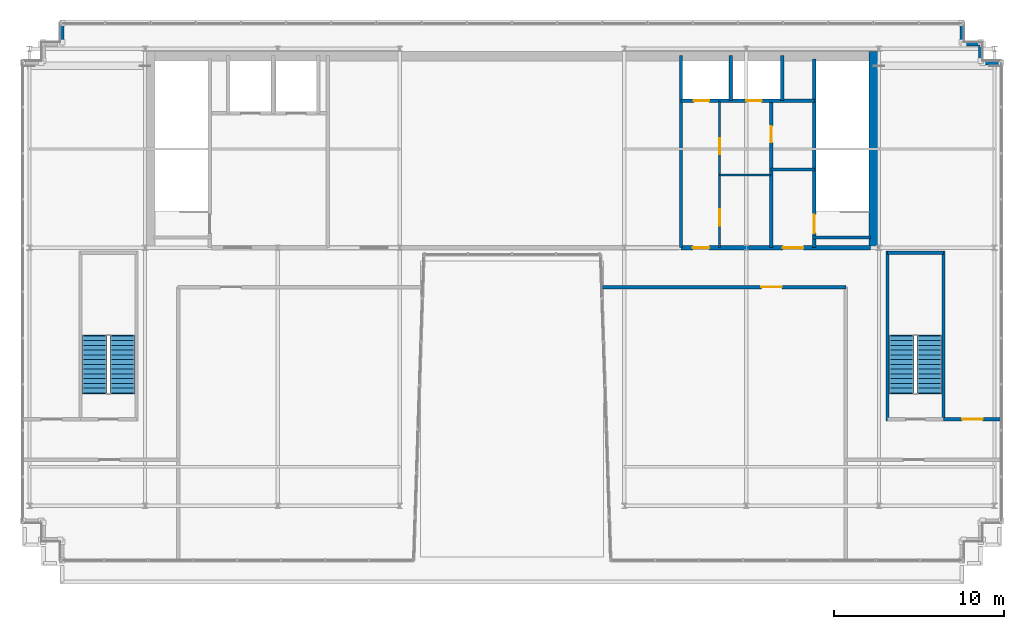
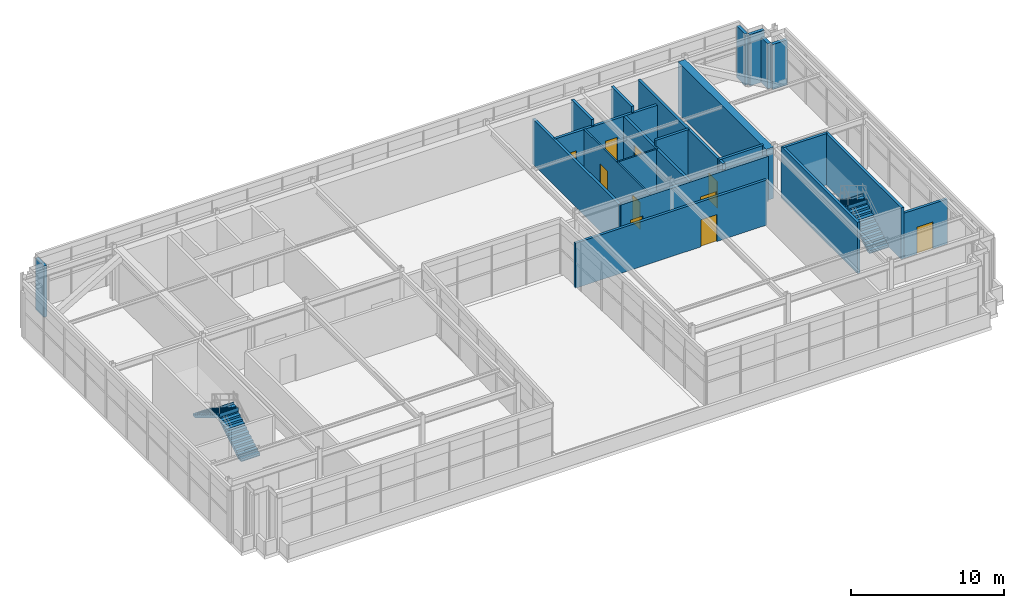
# One storey, part 34 of 37: 22 walls, 10 doors, 4 stair flights, 10 openings, 2 elements without a shape of their own.
"""IFC4 building model written with IfcOpenShell, lengths in metres."""

from ifc_helpers import new_model, si_unit, direction, frame, frame_2d, origin, place, context, subcontext, project, spatial, polyline, rectangle, outline, extrude, source, transform, mapped, material, layer, layer_set, type_object, element, fill, aggregate, save


model = new_model("IFC4")

# Units and contexts
model_context = context("Model", 3, precision=1e-05, world=origin(), true_north=direction((0.0, 1.0)))
body_context = subcontext(model_context, "Body", "Model", "MODEL_VIEW")
ifc_project = project(units=[si_unit("LENGTHUNIT", "METRE"), si_unit("AREAUNIT", "SQUARE_METRE"), si_unit("VOLUMEUNIT", "CUBIC_METRE"), si_unit("PLANEANGLEUNIT", "RADIAN"), si_unit("MASSUNIT", "GRAM", prefix="KILO")], contexts=[model_context])

# Site, building, storey
site_placement = place(None, origin())
site = spatial("IfcSite", under=ifc_project, at=site_placement, CompositionType="ELEMENT")
building_placement = place(site_placement, origin())
building = spatial("IfcBuilding", under=site, at=building_placement, Name="Trelvane Seafront Commons", CompositionType="ELEMENT")
storey_placement = place(building_placement, frame((0.0, 0.0, 303.5)))
storey = spatial("IfcBuildingStorey", under=building, at=storey_placement, Name="L79", CompositionType="ELEMENT", Elevation=303.5)

# Walls
ifc_material_1 = material(Name="Precast concrete C40/50", Category="concrete")
ifc_layer_1 = layer(ifc_material_1, 0.239990234375, Name="ARCH-WALL-EXT240")
ifc_layer_set_1 = layer_set([ifc_layer_1], Name="Precast concrete C40/50")
wall_type_1 = type_object("IfcWallType", Name="ARCH-WALL-EXT240", PredefinedType="SOLIDWALL", material=ifc_layer_set_1)
for number, where, z_axis, x_axis, name in (
    (1, (10.719970703125, 45.5, 0.0), (0.0, 0.0, 1.0), (0.0, 1.0, 0.0), "EW-L79-CRN-01627"),
    (2, (63.679931640625, 46.60009765625, 0.0), (0.0, 0.0, 1.0), (0.0, -1.0, 0.0), "EW-L79-CRN-01628"),
):
    element("IfcWall", number, at=place(storey_placement, frame(where, z_axis=z_axis, x_axis=x_axis)), inside=storey, type_object=wall_type_1, Name=name, PredefinedType="SOLIDWALL", context=body_context, shape_type="SweptSolid", body=[
        extrude(rectangle(XDim=1.10009765625, YDim=0.239990234375, at=frame_2d((0.550048828125, 0.0))), origin(), (0.0, 0.0, 1.0), 4.10009765625),
    ])
wall_1_placement = place(storey_placement, frame((63.800048828125, 45.3798828125, 0.0), z_axis=(0.0, 0.0, 1.0), x_axis=(1.0, 0.0, 0.0)))
element("IfcWall", 3, at=wall_1_placement, inside=storey, type_object=wall_type_1, Name="EW-L79-CRN-01629", PredefinedType="SOLIDWALL", context=body_context, shape_type="SweptSolid", body=[
    extrude(rectangle(XDim=1.099853515625, YDim=0.239990234375, at=frame_2d((0.5498046875, 0.0))), origin(), (0.0, 0.0, 1.0), 4.10009765625),
])
for number, where, z_axis, x_axis, name in (
    (4, (64.780029296875, 45.5, 0.0), (0.0, 0.0, 1.0), (0.0, -1.0, 0.0), "EW-L79-CRN-01630"),
    (5, (64.89990234375, 44.280029296875, 0.0), (0.0, 0.0, 1.0), (1.0, 0.0, 0.0), "EW-L79-CRN-01631"),
):
    element("IfcWall", number, at=place(storey_placement, frame(where, z_axis=z_axis, x_axis=x_axis)), inside=storey, type_object=wall_type_1, Name=name, PredefinedType="SOLIDWALL", context=body_context, shape_type="SweptSolid", body=[
        extrude(rectangle(XDim=1.10009765625, YDim=0.239990234375, at=frame_2d((0.550048828125, 0.0))), origin(), (0.0, 0.0, 1.0), 3.60009765625),
    ])

# Wall, opening, door
ifc_material_2 = material(Name="Concrete C40/50", Category="concrete")
ifc_layer_2 = layer(ifc_material_2, 0.199951171875, Name="ARCH-WALL-FIRE200")
ifc_layer_set_2 = layer_set([ifc_layer_2], Name="Concrete C40/50")
wall_type_2 = type_object("IfcWallType", Name="ARCH-WALL-FIRE200", PredefinedType="PARTITIONING", material=ifc_layer_set_2)
wall_2_placement = place(storey_placement, frame((52.449951171875, 33.39990234375, 0.0), z_axis=(0.0, 0.0, 1.0), x_axis=(0.0, 1.0, 0.0)))
wall_2 = element("IfcWall", 6, at=wall_2_placement, inside=storey, type_object=wall_type_2, Name="W-L79-ST2V-W-027", PredefinedType="PARTITIONING", context=body_context, shape_type="SweptSolid", body=[
    extrude(rectangle(XDim=8.650146484375, YDim=0.199951171875, at=frame_2d((4.3251953125, 0.0))), origin(), (0.0, 0.0, 1.0), 3.60009765625),
])
opening_1_placement = place(wall_2_placement, frame((6.199951171875, 0.0, 0.0)))
opening_1 = element("IfcOpeningElement", 7, at=opening_1_placement, cuts=wall_2, Name="Opening FD-L79-11", PredefinedType="OPENING", context=body_context, shape_type="SweptSolid", body=[
    extrude(rectangle(XDim=0.949951171875, YDim=2.14990234375, at=frame_2d((0.47509765625, 1.074951171875))), frame((0.0, 0.10986328125, 0.0), z_axis=(0.0, -1.0, 0.0), x_axis=(1.0, 0.0, 0.0)), (0.0, 0.0, 1.0), 0.219970703125),
])
ifc_material_3 = material(Name="Powder-coated aluminium frame", Category="aluminium")
door_type_1 = type_object("IfcDoorType", Name="ARCH-DR-FD60-950", OperationType="NOTDEFINED", PredefinedType="DOOR", material=ifc_material_3)
shared_shape_1 = source(origin(), body_context, "Body", "SweptSolid", [
    extrude(rectangle(XDim=0.949951171875, YDim=2.14990234375, at=frame_2d((0.47509765625, 1.074951171875))), frame((0.0, 0.02490234375, 0.0), z_axis=(0.0, -1.0, 0.0), x_axis=(1.0, 0.0, 0.0)), (0.0, 0.0, 1.0), 0.050048828125),
])
door_1_placement = place(opening_1_placement, origin())
door_1 = element("IfcDoor", 8, at=door_1_placement, inside=storey, type_object=door_type_1, Name="L79 Cleaner Store Door", OperationType="SINGLE_SWING_LEFT", OverallHeight=2.14990234375, OverallWidth=0.949951171875, PredefinedType="DOOR", context=body_context, shape_type="MappedRepresentation", body=[
    mapped(shared_shape_1, transform((0.0, 0.0, 0.0), x_axis=(1.0, 0.0, 0.0), y_axis=(0.0, 1.0, 0.0), z_axis=(0.0, 0.0, 1.0), scale=1.0)),
])
fill(opening_1, door_1)

# Wall
wall_3_placement = place(storey_placement, frame((52.449951171875, 38.0, 0.0), z_axis=(0.0, 0.0, 1.0), x_axis=(1.0, 0.0, 0.0)))
element("IfcWall", 9, at=wall_3_placement, inside=storey, type_object=wall_type_2, Name="W-L79-ST2V-N-028", PredefinedType="PARTITIONING", context=body_context, shape_type="SweptSolid", body=[
    extrude(rectangle(XDim=2.550048828125, YDim=0.199951171875, at=frame_2d((1.27490234375, 0.0))), origin(), (0.0, 0.0, 1.0), 4.10009765625),
])

# Wall, opening, door
wall_4_placement = place(storey_placement, frame((42.3798828125, 31.080078125, 0.0), z_axis=(0.0, 0.0, 1.0), x_axis=(1.0, 0.0, 0.0)))
wall_4 = element("IfcWall", 10, at=wall_4_placement, inside=storey, type_object=wall_type_2, Name="W-L79-CRN79-NE-033", PredefinedType="PARTITIONING", context=body_context, shape_type="SweptSolid", body=[
    extrude(rectangle(XDim=14.47021484375, YDim=0.199951171875, at=frame_2d((7.235107421875, 0.0))), origin(), (0.0, 0.0, 1.0), 3.60009765625),
])
opening_2_placement = place(wall_4_placement, frame((9.5, 0.0, 0.0)))
opening_2 = element("IfcOpeningElement", 11, at=opening_2_placement, cuts=wall_4, Name="Opening FD-L79-17", PredefinedType="OPENING", context=body_context, shape_type="SweptSolid", body=[
    extrude(rectangle(XDim=1.199951171875, YDim=2.14990234375, at=frame_2d((0.60009765625, 1.074951171875))), frame((0.0, 0.10986328125, 0.0), z_axis=(0.0, -1.0, 0.0), x_axis=(1.0, 0.0, 0.0)), (0.0, 0.0, 1.0), 0.219970703125),
])
door_type_2 = type_object("IfcDoorType", Name="ARCH-DR-FD60-1200", OperationType="NOTDEFINED", PredefinedType="DOOR", material=ifc_material_3)
shared_shape_2 = source(origin(), body_context, "Body", "SweptSolid", [
    extrude(rectangle(XDim=1.199951171875, YDim=2.14990234375, at=frame_2d((0.60009765625, 1.074951171875))), frame((0.0, 0.02490234375, 0.0), z_axis=(0.0, -1.0, 0.0), x_axis=(1.0, 0.0, 0.0)), (0.0, 0.0, 1.0), 0.050048828125),
])
door_2_placement = place(opening_2_placement, origin())
door_2 = element("IfcDoor", 12, at=door_2_placement, inside=storey, type_object=door_type_2, Name="L79 Door 17", OperationType="SINGLE_SWING_LEFT", OverallHeight=2.14990234375, OverallWidth=1.199951171875, PredefinedType="DOOR", context=body_context, shape_type="MappedRepresentation", body=[
    mapped(shared_shape_2, transform((0.0, 0.0, 0.0), x_axis=(1.0, 0.0, 0.0), y_axis=(0.0, 1.0, 0.0), z_axis=(0.0, 0.0, 1.0), scale=1.0)),
])
fill(opening_2, door_2)

wall_5_placement = place(storey_placement, frame((62.60009765625, 23.300048828125, 0.0), z_axis=(0.0, 0.0, 1.0), x_axis=(1.0, 0.0, 0.0)))
wall_5 = element("IfcWall", 13, at=wall_5_placement, inside=storey, type_object=wall_type_2, Name="W-L79-CRN79-ETK-039", PredefinedType="PARTITIONING", context=body_context, shape_type="SweptSolid", body=[
    extrude(rectangle(XDim=3.389892578125, YDim=0.199951171875, at=frame_2d((1.69482421875, 0.0))), origin(), (0.0, 0.0, 1.0), 3.60009765625),
])
opening_3_placement = place(wall_5_placement, frame((1.10009765625, 0.0, 0.0)))
opening_3 = element("IfcOpeningElement", 14, at=opening_3_placement, cuts=wall_5, Name="Opening FD-L79-21", PredefinedType="OPENING", context=body_context, shape_type="SweptSolid", body=[
    extrude(rectangle(XDim=1.199951171875, YDim=2.14990234375, at=frame_2d((0.60009765625, 1.074951171875))), frame((0.0, 0.10986328125, 0.0), z_axis=(0.0, -1.0, 0.0), x_axis=(1.0, 0.0, 0.0)), (0.0, 0.0, 1.0), 0.219970703125),
])
door_3_placement = place(opening_3_placement, origin())
door_3 = element("IfcDoor", 15, at=door_3_placement, inside=storey, type_object=door_type_2, Name="L79 Door 21", OperationType="SINGLE_SWING_LEFT", OverallHeight=2.14990234375, OverallWidth=1.199951171875, PredefinedType="DOOR", context=body_context, shape_type="MappedRepresentation", body=[
    mapped(shared_shape_2, transform((0.0, 0.0, 0.0), x_axis=(1.0, 0.0, 0.0), y_axis=(0.0, 1.0, 0.0), z_axis=(0.0, 0.0, 1.0), scale=1.0)),
])
fill(opening_3, door_3)

# Wall, openings, doors
ifc_layer_3 = layer(ifc_material_2, 0.25, Name="ARCH-WALL-FIRE250")
ifc_layer_set_3 = layer_set([ifc_layer_3], Name="Concrete C40/50")
wall_type_3 = type_object("IfcWallType", Name="ARCH-WALL-FIRE250", PredefinedType="PARTITIONING", material=ifc_layer_set_3)
wall_6_placement = place(storey_placement, frame((47.14990234375, 33.39990234375, 0.0), z_axis=(0.0, 0.0, 1.0), x_axis=(1.0, 0.0, 0.0)))
wall_6 = element("IfcWall", 16, at=wall_6_placement, inside=storey, type_object=wall_type_3, Name="W-L79-CS-EAST-031", PredefinedType="PARTITIONING", context=body_context, shape_type="SweptSolid", body=[
    extrude(rectangle(XDim=11.150146484375, YDim=0.25, at=frame_2d((5.5751953125, 0.0))), origin(), (0.0, 0.0, 1.0), 3.60009765625),
])
opening_4_placement = place(wall_6_placement, frame((0.699951171875, 0.0, 0.0)))
opening_4 = element("IfcOpeningElement", 17, at=opening_4_placement, cuts=wall_6, Name="Opening FD-L79-14", PredefinedType="OPENING", context=body_context, shape_type="SweptSolid", body=[
    extrude(rectangle(XDim=0.949951171875, YDim=2.14990234375, at=frame_2d((0.47509765625, 1.074951171875))), frame((0.0, 0.135009765625, 0.0), z_axis=(0.0, -1.0, 0.0), x_axis=(1.0, 0.0, 0.0)), (0.0, 0.0, 1.0), 0.27001953125),
])
opening_5_placement = place(wall_6_placement, frame((6.0, 0.0, 0.0)))
opening_5 = element("IfcOpeningElement", 18, at=opening_5_placement, cuts=wall_6, Name="Opening FD-L79-15", PredefinedType="OPENING", context=body_context, shape_type="SweptSolid", body=[
    extrude(rectangle(XDim=1.199951171875, YDim=2.14990234375, at=frame_2d((0.60009765625, 1.074951171875))), frame((0.0, 0.135009765625, 0.0), z_axis=(0.0, -1.0, 0.0), x_axis=(1.0, 0.0, 0.0)), (0.0, 0.0, 1.0), 0.27001953125),
])
door_4_placement = place(opening_4_placement, origin())
door_4 = element("IfcDoor", 19, at=door_4_placement, inside=storey, type_object=door_type_1, Name="L79 Core Service Lobby Door", OperationType="SINGLE_SWING_RIGHT", OverallHeight=2.14990234375, OverallWidth=0.949951171875, PredefinedType="DOOR", context=body_context, shape_type="MappedRepresentation", body=[
    mapped(shared_shape_1, transform((0.0, 0.0, 0.0), x_axis=(1.0, 0.0, 0.0), y_axis=(0.0, 1.0, 0.0), z_axis=(0.0, 0.0, 1.0), scale=1.0)),
])
fill(opening_4, door_4)
door_5_placement = place(opening_5_placement, origin())
door_5 = element("IfcDoor", 20, at=door_5_placement, inside=storey, type_object=door_type_2, Name="L79 East Stair Vestibule Fire Door", OperationType="SINGLE_SWING_LEFT", OverallHeight=2.14990234375, OverallWidth=1.199951171875, PredefinedType="DOOR", context=body_context, shape_type="MappedRepresentation", body=[
    mapped(shared_shape_2, transform((0.0, 0.0, 0.0), x_axis=(1.0, 0.0, 0.0), y_axis=(0.0, 1.0, 0.0), z_axis=(0.0, 0.0, 1.0), scale=1.0)),
])
fill(opening_5, door_5)

ifc_material_4 = material(Name="Gypsum Drywall Acoustic Partition")
ifc_layer_4 = layer(ifc_material_4, 0.1201171875, Name="ARCH-WALL-PART120")
ifc_layer_set_4 = layer_set([ifc_layer_4], Name="Gypsum Drywall Acoustic Partition")
wall_type_4 = type_object("IfcWallType", Name="ARCH-WALL-PART120", PredefinedType="PARTITIONING", material=ifc_layer_set_4)
wall_7_placement = place(storey_placement, frame((49.419921875, 33.39990234375, 0.0), z_axis=(0.0, 0.0, 1.0), x_axis=(0.0, 1.0, 0.0)))
wall_7 = element("IfcWall", 21, at=wall_7_placement, inside=storey, type_object=wall_type_4, Name="W-L79-CYC0-V-029", PredefinedType="PARTITIONING", context=body_context, shape_type="SweptSolid", body=[
    extrude(rectangle(XDim=8.60009765625, YDim=0.1201171875, at=frame_2d((4.300048828125, 0.0))), origin(), (0.0, 0.0, 1.0), 3.60009765625),
])
opening_6_placement = place(wall_7_placement, frame((1.300048828125, 0.0, 0.0)))
opening_6 = element("IfcOpeningElement", 22, at=opening_6_placement, cuts=wall_7, Name="Opening D-L79-12", PredefinedType="OPENING", context=body_context, shape_type="SweptSolid", body=[
    extrude(rectangle(XDim=0.949951171875, YDim=2.14990234375, at=frame_2d((0.47509765625, 1.074951171875))), frame((0.0, 0.070068359375, 0.0), z_axis=(0.0, -1.0, 0.0), x_axis=(1.0, 0.0, 0.0)), (0.0, 0.0, 1.0), 0.14013671875),
])
opening_7_placement = place(wall_7_placement, frame((5.5, 0.0, 0.0)))
opening_7 = element("IfcOpeningElement", 23, at=opening_7_placement, cuts=wall_7, Name="Opening D-L79-13", PredefinedType="OPENING", context=body_context, shape_type="SweptSolid", body=[
    extrude(rectangle(XDim=0.949951171875, YDim=2.14990234375, at=frame_2d((0.47509765625, 1.074951171875))), frame((0.0, 0.070068359375, 0.0), z_axis=(0.0, -1.0, 0.0), x_axis=(1.0, 0.0, 0.0)), (0.0, 0.0, 1.0), 0.14013671875),
])
ifc_material_5 = material(Name="Acoustic timber door leaf", Category="wood")
door_type_3 = type_object("IfcDoorType", Name="ARCH-DR-INT950", OperationType="NOTDEFINED", PredefinedType="DOOR", material=ifc_material_5)
door_6_placement = place(opening_6_placement, origin())
door_6 = element("IfcDoor", 24, at=door_6_placement, inside=storey, type_object=door_type_3, Name="L79 Accessible WC Door", OperationType="SINGLE_SWING_RIGHT", OverallHeight=2.14990234375, OverallWidth=0.949951171875, PredefinedType="DOOR", context=body_context, shape_type="MappedRepresentation", body=[
    mapped(shared_shape_1, transform((0.0, 0.0, 0.0), x_axis=(1.0, 0.0, 0.0), y_axis=(0.0, 1.0, 0.0), z_axis=(0.0, 0.0, 1.0), scale=1.0)),
])
fill(opening_6, door_6)
door_7_placement = place(opening_7_placement, origin())
door_7 = element("IfcDoor", 25, at=door_7_placement, inside=storey, type_object=door_type_3, Name="L79 Common WC Door", OperationType="SINGLE_SWING_LEFT", OverallHeight=2.14990234375, OverallWidth=0.949951171875, PredefinedType="DOOR", context=body_context, shape_type="MappedRepresentation", body=[
    mapped(shared_shape_1, transform((0.0, 0.0, 0.0), x_axis=(1.0, 0.0, 0.0), y_axis=(0.0, 1.0, 0.0), z_axis=(0.0, 0.0, 1.0), scale=1.0)),
])
fill(opening_7, door_7)

# Walls
wall_8_placement = place(storey_placement, frame((49.419921875, 37.679931640625, 0.0), z_axis=(0.0, 0.0, 1.0), x_axis=(1.0, 0.0, 0.0)))
element("IfcWall", 26, at=wall_8_placement, inside=storey, type_object=wall_type_4, Name="W-L79-CYC0-H-030", PredefinedType="PARTITIONING", context=body_context, shape_type="SweptSolid", body=[
    extrude(rectangle(XDim=3.030029296875, YDim=0.1201171875, at=frame_2d((1.51513671875, 0.0))), origin(), (0.0, 0.0, 1.0), 3.60009765625),
])
ifc_layer_5 = layer(ifc_material_2, 0.199951171875, Name="ARCH-WALL-SHAFT200")
ifc_layer_set_5 = layer_set([ifc_layer_5], Name="Concrete C40/50")
wall_type_5 = type_object("IfcWallType", Name="ARCH-WALL-SHAFT200", PredefinedType="SOLIDWALL", material=ifc_layer_set_5)
wall_9_placement = place(storey_placement, frame((47.14990234375, 33.39990234375, 0.0), z_axis=(0.0, 0.0, 1.0), x_axis=(0.0, 1.0, 0.0)))
element("IfcWall", 27, at=wall_9_placement, inside=storey, type_object=wall_type_5, Name="W-L79-RSR-W-79-023", PredefinedType="SOLIDWALL", context=body_context, shape_type="SweptSolid", body=[
    extrude(rectangle(XDim=11.300048828125, YDim=0.199951171875, at=frame_2d((5.64990234375, 0.0))), origin(), (0.0, 0.0, 1.0), 3.60009765625),
])

# Wall, openings, doors
wall_10_placement = place(storey_placement, frame((47.14990234375, 42.050048828125, 0.0), z_axis=(0.0, 0.0, 1.0), x_axis=(1.0, 0.0, 0.0)))
wall_10 = element("IfcWall", 28, at=wall_10_placement, inside=storey, type_object=wall_type_5, Name="W-L79-RSR-S-024", PredefinedType="SOLIDWALL", context=body_context, shape_type="SweptSolid", body=[
    extrude(rectangle(XDim=7.85009765625, YDim=0.199951171875, at=frame_2d((3.925048828125, 0.0))), origin(), (0.0, 0.0, 1.0), 3.60009765625),
])
opening_8_placement = place(wall_10_placement, frame((0.75, 0.0, 0.0)))
opening_8 = element("IfcOpeningElement", 29, at=opening_8_placement, cuts=wall_10, Name="Opening FD-L79-09", PredefinedType="OPENING", context=body_context, shape_type="SweptSolid", body=[
    extrude(rectangle(XDim=0.89990234375, YDim=2.10009765625, at=frame_2d((0.449951171875, 1.050048828125))), frame((0.0, 0.10986328125, 0.0), z_axis=(0.0, -1.0, 0.0), x_axis=(1.0, 0.0, 0.0)), (0.0, 0.0, 1.0), 0.219970703125),
])
opening_9_placement = place(wall_10_placement, frame((3.85009765625, 0.0, 0.0)))
opening_9 = element("IfcOpeningElement", 30, at=opening_9_placement, cuts=wall_10, Name="Opening FD-L79-10", PredefinedType="OPENING", context=body_context, shape_type="SweptSolid", body=[
    extrude(rectangle(XDim=0.89990234375, YDim=2.10009765625, at=frame_2d((0.449951171875, 1.050048828125))), frame((0.0, 0.10986328125, 0.0), z_axis=(0.0, -1.0, 0.0), x_axis=(1.0, 0.0, 0.0)), (0.0, 0.0, 1.0), 0.219970703125),
])
door_type_4 = type_object("IfcDoorType", Name="ARCH-DR-FD60-900", OperationType="NOTDEFINED", PredefinedType="DOOR", material=ifc_material_3)
shared_shape_3 = source(origin(), body_context, "Body", "SweptSolid", [
    extrude(rectangle(XDim=0.89990234375, YDim=2.10009765625, at=frame_2d((0.449951171875, 1.050048828125))), frame((0.0, 0.02490234375, 0.0), z_axis=(0.0, -1.0, 0.0), x_axis=(1.0, 0.0, 0.0)), (0.0, 0.0, 1.0), 0.050048828125),
])
door_8_placement = place(opening_8_placement, origin())
door_8 = element("IfcDoor", 31, at=door_8_placement, inside=storey, type_object=door_type_4, Name="L79 Electrical Riser Access Door", OperationType="SINGLE_SWING_LEFT", OverallHeight=2.10009765625, OverallWidth=0.89990234375, PredefinedType="DOOR", context=body_context, shape_type="MappedRepresentation", body=[
    mapped(shared_shape_3, transform((0.0, 0.0, 0.0), x_axis=(1.0, 0.0, 0.0), y_axis=(0.0, 1.0, 0.0), z_axis=(0.0, 0.0, 1.0), scale=1.0)),
])
fill(opening_8, door_8)
door_9_placement = place(opening_9_placement, origin())
door_9 = element("IfcDoor", 32, at=door_9_placement, inside=storey, type_object=door_type_4, Name="L79 Mechanical Riser Access Door", OperationType="SINGLE_SWING_RIGHT", OverallHeight=2.10009765625, OverallWidth=0.89990234375, PredefinedType="DOOR", context=body_context, shape_type="MappedRepresentation", body=[
    mapped(shared_shape_3, transform((0.0, 0.0, 0.0), x_axis=(1.0, 0.0, 0.0), y_axis=(0.0, 1.0, 0.0), z_axis=(0.0, 0.0, 1.0), scale=1.0)),
])
fill(opening_9, door_9)

# Walls
for number, where, z_axis, x_axis, name in (
    (33, (50.080078125, 42.050048828125, 0.0), (0.0, 0.0, 1.0), (0.0, 1.0, 0.0), "W-L79-RSR-DIV-025"),
    (34, (53.10009765625, 42.050048828125, 0.0), (0.0, 0.0, 1.0), (0.0, 1.0, 0.0), "W-L79-RSR-E-026"),
):
    element("IfcWall", number, at=place(storey_placement, frame(where, z_axis=z_axis, x_axis=x_axis)), inside=storey, type_object=wall_type_5, Name=name, PredefinedType="SOLIDWALL", context=body_context, shape_type="SweptSolid", body=[
        extrude(rectangle(XDim=2.64990234375, YDim=0.199951171875, at=frame_2d((1.324951171875, 0.0))), origin(), (0.0, 0.0, 1.0), 4.10009765625),
    ])
ifc_material_6 = material(Name="Concrete C50/60", Category="concrete")
ifc_layer_6 = layer(ifc_material_6, 0.550048828125, Name="STR-WALL-CORE550")
ifc_layer_set_6 = layer_set([ifc_layer_6], Name="Concrete C50/60")
wall_type_6 = type_object("IfcWallType", Name="STR-WALL-CORE550", PredefinedType="SHEAR", material=ifc_layer_set_6)
wall_11_placement = place(storey_placement, frame((58.47509765625, 33.39990234375, 0.0), z_axis=(0.0, 0.0, 1.0), x_axis=(0.0, 1.0, 0.0)))
element("IfcWall", 35, at=wall_11_placement, inside=storey, type_object=wall_type_6, Name="W-L79-CE-END-003", PredefinedType="SHEAR", context=body_context, shape_type="SweptSolid", body=[
    extrude(rectangle(XDim=11.550048828125, YDim=0.550048828125, at=frame_2d((5.77490234375, 0.0))), origin(), (0.0, 0.0, 1.0), 4.10009765625),
])
ifc_layer_7 = layer(ifc_material_6, 0.199951171875, Name="STR-WALL-STAIR200")
ifc_layer_set_7 = layer_set([ifc_layer_7], Name="Concrete C50/60")
wall_type_7 = type_object("IfcWallType", Name="STR-WALL-STAIR200", PredefinedType="SHEAR", material=ifc_layer_set_7)
wall_12_placement = place(storey_placement, frame((54.89990234375, 34.0, 0.0), z_axis=(0.0, 0.0, 1.0), x_axis=(1.0, 0.0, 0.0)))
element("IfcWall", 36, at=wall_12_placement, inside=storey, type_object=wall_type_7, Name="W-L79-ST2-S-006", PredefinedType="SHEAR", context=body_context, shape_type="SweptSolid", body=[
    extrude(rectangle(XDim=3.400146484375, YDim=0.199951171875, at=frame_2d((1.7001953125, 0.0))), origin(), (0.0, 0.0, 1.0), 4.10009765625),
])

# Wall, opening, door
wall_13_placement = place(storey_placement, frame((55.0, 33.39990234375, 0.0), z_axis=(0.0, 0.0, 1.0), x_axis=(0.0, 1.0, 0.0)))
wall_13 = element("IfcWall", 37, at=wall_13_placement, inside=storey, type_object=wall_type_7, Name="W-L79-ST2-W-007", PredefinedType="SHEAR", context=body_context, shape_type="SweptSolid", body=[
    extrude(rectangle(XDim=11.10009765625, YDim=0.199951171875, at=frame_2d((5.550048828125, 0.0))), origin(), (0.0, 0.0, 1.0), 4.10009765625),
])
opening_10_placement = place(wall_13_placement, frame((0.85009765625, 0.0, 0.0)))
opening_10 = element("IfcOpeningElement", 38, at=opening_10_placement, cuts=wall_13, Name="Opening ST-D2-L79", PredefinedType="OPENING", context=body_context, shape_type="SweptSolid", body=[
    extrude(rectangle(XDim=1.10009765625, YDim=2.14990234375, at=frame_2d((0.550048828125, 1.074951171875))), frame((0.0, 0.10986328125, 0.0), z_axis=(0.0, -1.0, 0.0), x_axis=(1.0, 0.0, 0.0)), (0.0, 0.0, 1.0), 0.219970703125),
])
door_type_5 = type_object("IfcDoorType", Name="ARCH-DR-FD90-1100", OperationType="NOTDEFINED", PredefinedType="DOOR", material=ifc_material_3)
shared_shape_4 = source(origin(), body_context, "Body", "SweptSolid", [
    extrude(rectangle(XDim=1.10009765625, YDim=2.14990234375, at=frame_2d((0.550048828125, 1.074951171875))), frame((0.0, 0.02490234375, 0.0), z_axis=(0.0, -1.0, 0.0), x_axis=(1.0, 0.0, 0.0)), (0.0, 0.0, 1.0), 0.050048828125),
])
door_10_placement = place(opening_10_placement, origin())
door_10 = element("IfcDoor", 39, at=door_10_placement, inside=storey, type_object=door_type_5, Name="L79 Stair ST-2 Vestibule Fire Door", OperationType="SINGLE_SWING_RIGHT", OverallHeight=2.14990234375, OverallWidth=1.10009765625, PredefinedType="DOOR", context=body_context, shape_type="MappedRepresentation", body=[
    mapped(shared_shape_4, transform((0.0, 0.0, 0.0), x_axis=(1.0, 0.0, 0.0), y_axis=(0.0, 1.0, 0.0), z_axis=(0.0, 0.0, 1.0), scale=1.0)),
])
fill(opening_10, door_10)

# Walls
for number, where, z_axis, x_axis, name in (
    (40, (59.300048828125, 23.199951171875, 0.0), (0.0, 0.0, 1.0), (0.0, 1.0, 0.0), "W-L79-ST6-W-012"),
    (41, (62.60009765625, 23.199951171875, 0.0), (0.0, 0.0, 1.0), (0.0, 1.0, 0.0), "W-L79-ST6-E-013"),
):
    element("IfcWall", number, at=place(storey_placement, frame(where, z_axis=z_axis, x_axis=x_axis)), inside=storey, type_object=wall_type_7, Name=name, PredefinedType="SHEAR", context=body_context, shape_type="SweptSolid", body=[
        extrude(rectangle(XDim=10.0, YDim=0.199951171875, at=frame_2d((5.0, 0.0))), origin(), (0.0, 0.0, 1.0), 4.10009765625),
    ])
wall_14_placement = place(storey_placement, frame((59.300048828125, 33.10009765625, 0.0), z_axis=(0.0, 0.0, 1.0), x_axis=(1.0, 0.0, 0.0)))
element("IfcWall", 42, at=wall_14_placement, inside=storey, type_object=wall_type_7, Name="W-L79-ST6-N-014", PredefinedType="SHEAR", context=body_context, shape_type="SweptSolid", body=[
    extrude(rectangle(XDim=3.300048828125, YDim=0.199951171875, at=frame_2d((1.64990234375, 0.0))), origin(), (0.0, 0.0, 1.0), 4.10009765625),
])

# Stair, stair flights
stair_type_1 = type_object("IfcStairType", Name="ARCH-STR-ST-5-R26-169", PredefinedType="HALF_TURN_STAIR", material=ifc_material_2)
stair_1_placement = place(storey_placement, origin())
stair_1 = element("IfcStair", 43, at=stair_1_placement, inside=storey, type_object=stair_type_1, Name="L79 Crown West Peak Enclosed Maintenance Exit Stair ST-5", PredefinedType="HALF_TURN_STAIR")
stair_flight_type_1 = type_object("IfcStairFlightType", Name="ARCH-FLG-ST-5-R26-169", PredefinedType="STRAIGHT", material=ifc_material_2)
shared_shape_5 = source(origin(), body_context, "Body", "SweptSolid", [
    extrude(outline(polyline([(-0.050048828125, -0.02001953125), (-0.050048828125, 0.0), (0.0, 0.0), (0.0, 0.169189453125), (0.280029296875, 0.169189453125), (0.280029296875, 0.33837890625), (0.56005859375, 0.33837890625), (0.56005859375, 0.5078125), (0.840087890625, 0.5078125), (0.840087890625, 0.677001953125), (1.1201171875, 0.677001953125), (1.1201171875, 0.84619140625), (1.39990234375, 0.84619140625), (1.39990234375, 1.015380859375), (1.679931640625, 1.015380859375), (1.679931640625, 1.1845703125), (1.9599609375, 1.1845703125), (1.9599609375, 1.353759765625), (2.239990234375, 1.353759765625), (2.239990234375, 1.523193359375), (2.52001953125, 1.523193359375), (2.52001953125, 1.6923828125), (2.800048828125, 1.6923828125), (2.800048828125, 1.861572265625), (3.080078125, 1.861572265625), (3.080078125, 2.03076171875), (3.360107421875, 2.03076171875), (3.360107421875, 2.199951171875), (3.409912109375, 2.199951171875), (3.409912109375, 2.050048828125), (3.360107421875, 1.855712890625), (0.289794921875, -0.02001953125), (-0.050048828125, -0.02001953125)])), frame((0.0, 0.72509765625, 0.0), z_axis=(0.0, -1.0, 0.0), x_axis=(1.0, 0.0, 0.0)), (0.0, 0.0, 1.0), 1.449951171875),
])
stair_flight_1_placement = place(storey_placement, frame((14.27490234375, 24.85009765625, 0.0), z_axis=(0.0, 0.0, 1.0), x_axis=(0.0, 1.0, 0.0)))
stair_flight_1 = element("IfcStairFlight", 44, at=stair_flight_1_placement, type_object=stair_flight_type_1, Name="ST-5 flight 1", NumberOfRisers=13, NumberOfTreads=12, PredefinedType="STRAIGHT", RiserHeight=0.169230769, TreadLength=0.28, context=body_context, shape_type="MappedRepresentation", body=[
    mapped(shared_shape_5, transform((0.0, 0.0, 0.0), x_axis=(1.0, 0.0, 0.0), y_axis=(0.0, 1.0, 0.0), z_axis=(0.0, 0.0, 1.0), scale=1.0)),
])
stair_flight_2_placement = place(storey_placement, frame((12.625, 28.2099609375, 2.199951171875), z_axis=(0.0, 0.0, 1.0), x_axis=(0.0, -1.0, 0.0)))
stair_flight_2 = element("IfcStairFlight", 45, at=stair_flight_2_placement, type_object=stair_flight_type_1, Name="ST-5 flight 2", NumberOfRisers=13, NumberOfTreads=12, PredefinedType="STRAIGHT", RiserHeight=0.169230769, TreadLength=0.28, context=body_context, shape_type="MappedRepresentation", body=[
    mapped(shared_shape_5, transform((0.0, 0.0, 0.0), x_axis=(1.0, 0.0, 0.0), y_axis=(0.0, 1.0, 0.0), z_axis=(0.0, 0.0, 1.0), scale=1.0)),
])
aggregate(stair_1, [stair_flight_1, stair_flight_2])

stair_type_2 = type_object("IfcStairType", Name="ARCH-STR-ST-6-R26-169", PredefinedType="HALF_TURN_STAIR", material=ifc_material_2)
stair_2_placement = place(storey_placement, origin())
stair_2 = element("IfcStair", 46, at=stair_2_placement, inside=storey, type_object=stair_type_2, Name="L79 Crown East Peak Enclosed Maintenance Exit Stair ST-6", PredefinedType="HALF_TURN_STAIR")
stair_flight_type_2 = type_object("IfcStairFlightType", Name="ARCH-FLG-ST-6-R26-169", PredefinedType="STRAIGHT", material=ifc_material_2)
stair_flight_3_placement = place(storey_placement, frame((61.77490234375, 24.85009765625, 0.0), z_axis=(0.0, 0.0, 1.0), x_axis=(0.0, 1.0, 0.0)))
stair_flight_3 = element("IfcStairFlight", 47, at=stair_flight_3_placement, type_object=stair_flight_type_2, Name="ST-6 flight 1", NumberOfRisers=13, NumberOfTreads=12, PredefinedType="STRAIGHT", RiserHeight=0.169230769, TreadLength=0.28, context=body_context, shape_type="MappedRepresentation", body=[
    mapped(shared_shape_5, transform((0.0, 0.0, 0.0), x_axis=(1.0, 0.0, 0.0), y_axis=(0.0, 1.0, 0.0), z_axis=(0.0, 0.0, 1.0), scale=1.0)),
])
stair_flight_4_placement = place(storey_placement, frame((60.125, 28.2099609375, 2.199951171875), z_axis=(0.0, 0.0, 1.0), x_axis=(0.0, -1.0, 0.0)))
stair_flight_4 = element("IfcStairFlight", 48, at=stair_flight_4_placement, type_object=stair_flight_type_2, Name="ST-6 flight 2", NumberOfRisers=13, NumberOfTreads=12, PredefinedType="STRAIGHT", RiserHeight=0.169230769, TreadLength=0.28, context=body_context, shape_type="MappedRepresentation", body=[
    mapped(shared_shape_5, transform((0.0, 0.0, 0.0), x_axis=(1.0, 0.0, 0.0), y_axis=(0.0, 1.0, 0.0), z_axis=(0.0, 0.0, 1.0), scale=1.0)),
])
aggregate(stair_2, [stair_flight_3, stair_flight_4])

save(model, "model.ifc")
